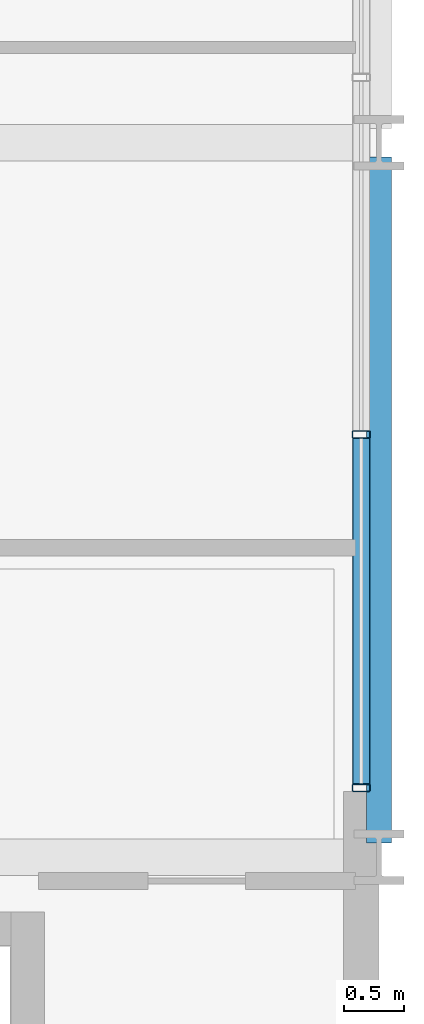
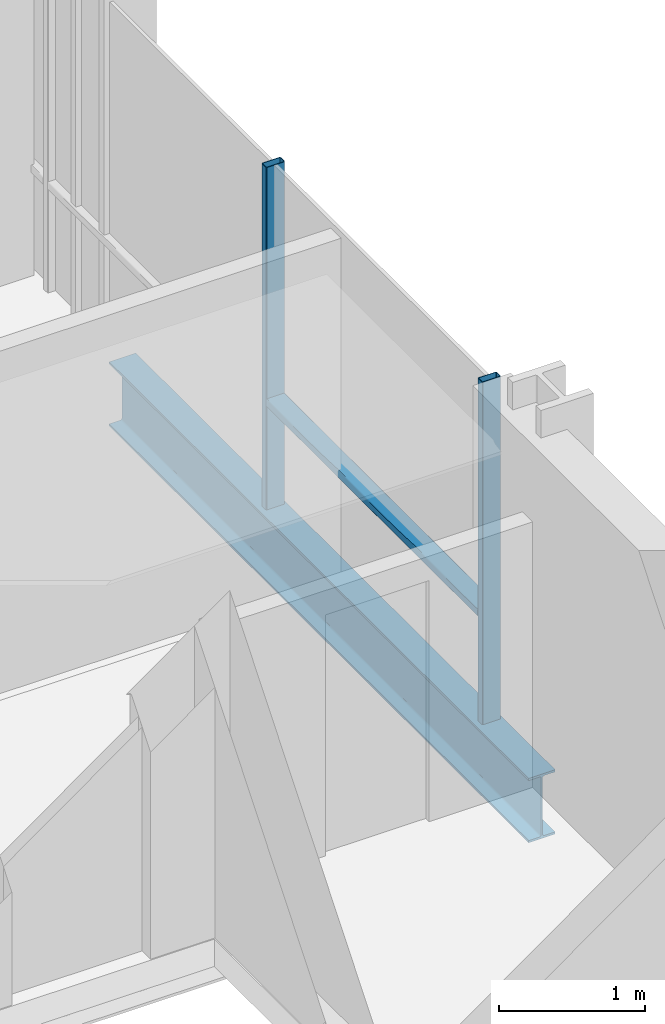
# One storey, part 15 of 40: 3 members, 1 beam, 1 element without a shape of its own.
"""IFC4 building model written with IfcOpenShell, lengths in metres."""

from ifc_helpers import new_model, si_unit, direction, frame, origin, origin_2d, place, context, subcontext, project, spatial, hollow_rectangle, i_section, extrude, material, layer, layer_set, material_profile, profile_set, type_object, element, aggregate, save


model = new_model("IFC4")

# Units and contexts
model_context = context("Model", 3, precision=1e-05, world=origin(), true_north=direction((0.0, 1.0)))
body_context = subcontext(model_context, "Body", "Model", "MODEL_VIEW")
ifc_project = project(units=[si_unit("LENGTHUNIT", "METRE"), si_unit("AREAUNIT", "SQUARE_METRE"), si_unit("VOLUMEUNIT", "CUBIC_METRE"), si_unit("PLANEANGLEUNIT", "RADIAN"), si_unit("MASSUNIT", "GRAM", prefix="KILO")], contexts=[model_context])

# Site, building, storey
site_placement = place(None, origin())
site = spatial("IfcSite", under=ifc_project, at=site_placement, CompositionType="ELEMENT")
building_placement = place(site_placement, origin())
building = spatial("IfcBuilding", under=site, at=building_placement, Name="Brevholm Reach", CompositionType="ELEMENT")
storey_placement = place(building_placement, frame((0.0, 0.0, 80.699951171875)))
storey = spatial("IfcBuildingStorey", under=building, at=storey_placement, Name="L23", CompositionType="ELEMENT", Elevation=80.699951171875)

# Beam
ifc_material_1 = material(Name="Structural Steel S355J2", Category="steel")
ifc_material_profile_1 = material_profile(ifc_material_1, i_section(OverallWidth=0.210693359375, OverallDepth=0.53955078125, WebThickness=0.01171875, FlangeThickness=0.018798828125, FilletRadius=0.0126953125, at=origin_2d()), Name="UKB 533x210x109")
ifc_profile_set_1 = profile_set([ifc_material_profile_1], Name="Structural Steel S355J2")
beam_type = type_object("IfcBeamType", Name="BM-SP539", PredefinedType="SPANDREL", material=ifc_profile_set_1)
beam_placement = place(storey_placement, frame((60.0, 10.1201171875, -0.499755859375), z_axis=(0.0, 1.0, 0.0), x_axis=(-1.0, 0.0, 0.0)))
element("IfcBeam", 1, at=beam_placement, inside=storey, type_object=beam_type, Name="L23 SP-01B Framing Beam", PredefinedType="SPANDREL", context=body_context, shape_type="SweptSolid", body=[
    extrude(i_section(OverallWidth=0.210693359375, OverallDepth=0.53955078125, WebThickness=0.01171875, FlangeThickness=0.018798828125, FilletRadius=0.0126953125, at=origin_2d()), origin(), (0.0, 0.0, 1.0), 5.759765625),
])

# Curtain wall, members
ifc_material_2 = material(Name="Dark Anodised Aluminium 6063-T6 and Solar-Control Glass", Category="aluminium")
ifc_layer = layer(ifc_material_2, 0.14990234375)
ifc_layer_set = layer_set([ifc_layer], Name="Dark Anodised Aluminium 6063-T6 and Solar-Control Glass")
curtain_wall_type = type_object("IfcCurtainWallType", Name="CW-01", PredefinedType="NOTDEFINED", material=ifc_layer_set)
curtain_wall_placement = place(storey_placement, origin())
curtain_wall = element("IfcCurtainWall", 2, at=curtain_wall_placement, inside=storey, type_object=curtain_wall_type, Name="L23 Curtain Wall CW-01", PredefinedType="NOTDEFINED")
ifc_material_3 = material(Name="Dark Anodised Aluminium 6063-T6", Category="aluminium")
ifc_material_profile_2 = material_profile(ifc_material_3, hollow_rectangle(XDim=0.06494140625, YDim=0.14990234375, WallThickness=0.0048828125, InnerFilletRadius=0.0048828125, OuterFilletRadius=0.010009765625, at=origin_2d()), Name="RHS 150x65x5")
ifc_profile_set_2 = profile_set([ifc_material_profile_2], Name="Dark Anodised Aluminium 6063-T6")
member_type_1 = type_object("IfcMemberType", Name="CWM-150", PredefinedType="MULLION", material=ifc_profile_set_2)
member_1_placement = place(storey_placement, frame((59.85009765625, 10.58251953125, 0.0), z_axis=(0.0, 0.0, 1.0), x_axis=(0.0, 1.0, 0.0)))
member_1 = element("IfcMember", 3, at=member_1_placement, type_object=member_type_1, Name="CM-150 Mullion 1", PredefinedType="MULLION", context=body_context, shape_type="SweptSolid", body=[
    extrude(hollow_rectangle(XDim=0.06494140625, YDim=0.14990234375, WallThickness=0.0048828125, InnerFilletRadius=0.0048828125, OuterFilletRadius=0.010009765625, at=origin_2d()), origin(), (0.0, 0.0, 1.0), 2.8701171875),
])
member_2_placement = place(storey_placement, frame((59.85009765625, 13.550048828125, 0.0), z_axis=(0.0, 0.0, 1.0), x_axis=(0.0, 1.0, 0.0)))
member_2 = element("IfcMember", 4, at=member_2_placement, type_object=member_type_1, Name="CM-150 Mullion 2", PredefinedType="MULLION", context=body_context, shape_type="SweptSolid", body=[
    extrude(hollow_rectangle(XDim=0.06494140625, YDim=0.14990234375, WallThickness=0.0048828125, InnerFilletRadius=0.0048828125, OuterFilletRadius=0.010009765625, at=origin_2d()), origin(), (0.0, 0.0, 1.0), 2.8701171875),
])
ifc_material_4 = material(Name="Dark Anodised Aluminium 6063-T6", Category="aluminium")
ifc_material_profile_3 = material_profile(ifc_material_4, hollow_rectangle(XDim=0.06494140625, YDim=0.14990234375, WallThickness=0.0048828125, InnerFilletRadius=0.0048828125, OuterFilletRadius=0.010009765625, at=origin_2d()), Name="RHS 150x65x5")
ifc_profile_set_3 = profile_set([ifc_material_profile_3], Name="Dark Anodised Aluminium 6063-T6")
member_type_2 = type_object("IfcMemberType", Name="CWT-150", PredefinedType="NOTDEFINED", material=ifc_profile_set_3)
member_3_placement = place(storey_placement, frame((59.85009765625, 10.614990234375, 0.900146484375), z_axis=(0.0, 1.0, 0.0), x_axis=(0.0, 0.0, 1.0)))
member_3 = element("IfcMember", 5, at=member_3_placement, type_object=member_type_2, Name="CT-150 Transom 1.1", ObjectType="TRANSOM", PredefinedType="USERDEFINED", context=body_context, shape_type="SweptSolid", body=[
    extrude(hollow_rectangle(XDim=0.06494140625, YDim=0.14990234375, WallThickness=0.0048828125, InnerFilletRadius=0.0048828125, OuterFilletRadius=0.010009765625, at=origin_2d()), origin(), (0.0, 0.0, 1.0), 2.902587890625),
])
aggregate(curtain_wall, [member_1, member_2, member_3])

save(model, "model.ifc")
